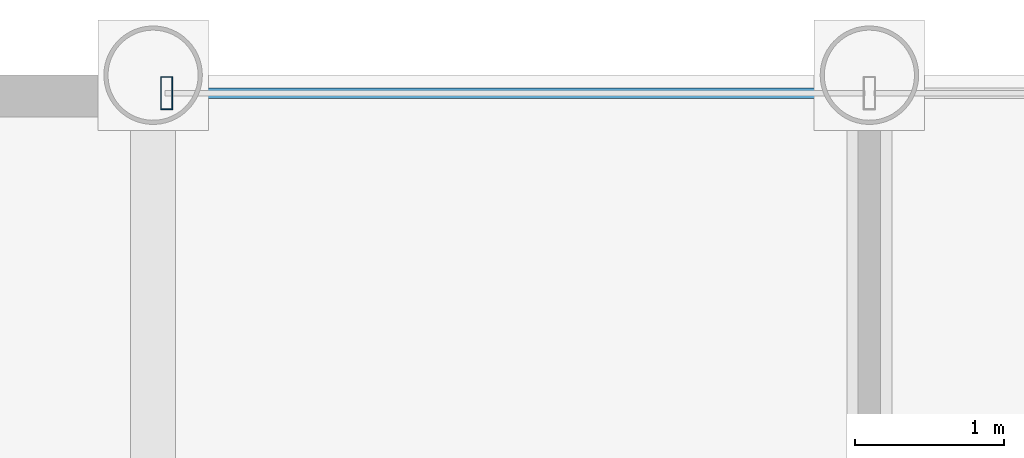
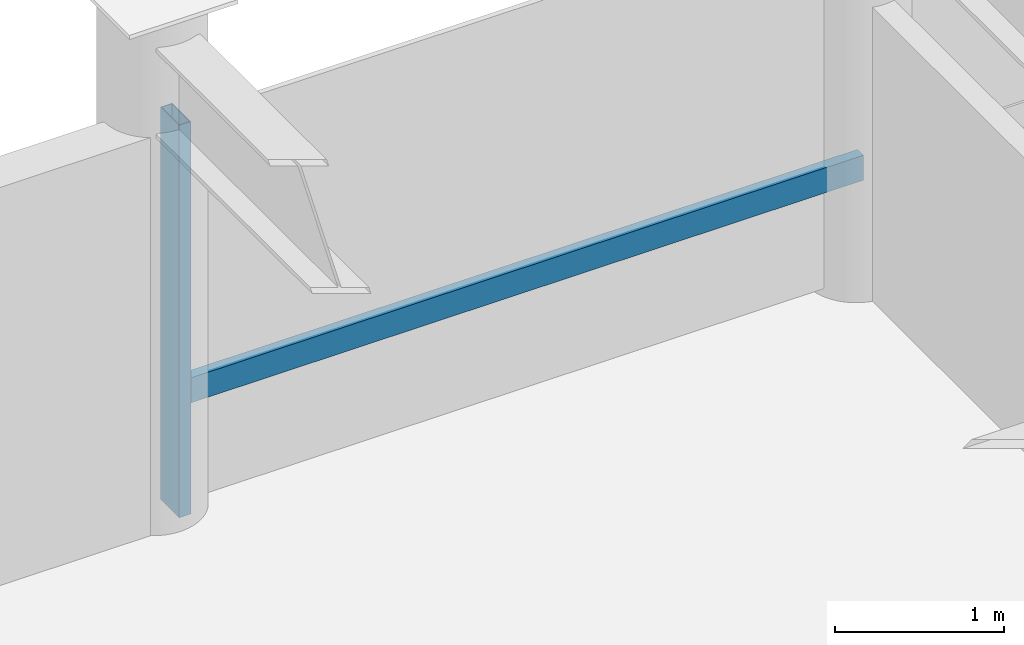
# One storey, part 14 of 24: 2 members, 1 element without a shape of its own.
"""IFC4 building model written with IfcOpenShell, lengths in metres."""

from ifc_helpers import new_model, si_unit, direction, frame, origin, origin_2d, place, context, subcontext, project, spatial, hollow_rectangle, extrude, material, layer, layer_set, material_profile, profile_set, type_object, element, aggregate, save


model = new_model("IFC4")

# Units and contexts
model_context = context("Model", 3, precision=1e-05, world=origin(), true_north=direction((0.0, 1.0)))
body_context = subcontext(model_context, "Body", "Model", "MODEL_VIEW")
ifc_project = project(units=[si_unit("LENGTHUNIT", "METRE"), si_unit("AREAUNIT", "SQUARE_METRE"), si_unit("VOLUMEUNIT", "CUBIC_METRE"), si_unit("PLANEANGLEUNIT", "RADIAN"), si_unit("MASSUNIT", "GRAM", prefix="KILO")], contexts=[model_context])

# Site, building, storey
site_placement = place(None, origin())
site = spatial("IfcSite", under=ifc_project, at=site_placement, CompositionType="ELEMENT")
building_placement = place(site_placement, origin())
building = spatial("IfcBuilding", under=site, at=building_placement, Name="Kallvorn Hotel Tower", CompositionType="ELEMENT")
storey_placement = place(building_placement, frame((0.0, 0.0, 150.699951171875)))
storey = spatial("IfcBuildingStorey", under=building, at=storey_placement, Name="L37", CompositionType="ELEMENT", Elevation=150.699951171875)

# Curtain wall, members
ifc_material_1 = material(Name="Thermally broken black-anodised aluminium AA 6063-T6", Category="aluminium")
ifc_layer = layer(ifc_material_1, 0.2099609375)
ifc_layer_set = layer_set([ifc_layer], Name="CW_SYS_4_HOTEL_MID")
curtain_wall_type = type_object("IfcCurtainWallType", Name="CW_SYS_4_HOTEL_MID", PredefinedType="USERDEFINED", material=ifc_layer_set)
curtain_wall_placement = place(storey_placement, origin())
curtain_wall = element("IfcCurtainWall", 1, at=curtain_wall_placement, inside=storey, type_object=curtain_wall_type, Name="L37 Dark-Glass Curtain Wall CW-L37-NC", ObjectType="UNITISED CURTAIN WALL", PredefinedType="USERDEFINED")
ifc_material_2 = material(Name="Thermally broken black-anodised aluminium AA 6063-T6", Category="aluminium")
ifc_material_profile_1 = material_profile(ifc_material_2, hollow_rectangle(XDim=0.080078125, YDim=0.219970703125, WallThickness=0.0048828125, at=origin_2d()), Name="MUL 220x80")
ifc_profile_set_1 = profile_set([ifc_material_profile_1], Name="Thermally broken black-anodised aluminium AA 6063-T6")
member_type_1 = type_object("IfcMemberType", Name="CW_MULLION_220x80", PredefinedType="MULLION", material=ifc_profile_set_1)
member_1_placement = place(storey_placement, frame((-4.7099609375, 23.8798828125, 0.02001953125), z_axis=(0.0, 0.0, 1.0), x_axis=(1.0, 0.0, 0.0)))
member_1 = element("IfcMember", 2, at=member_1_placement, type_object=member_type_1, Name="CW-L37-NC Mullion 00", PredefinedType="MULLION", context=body_context, shape_type="SweptSolid", body=[
    extrude(hollow_rectangle(XDim=0.080078125, YDim=0.219970703125, WallThickness=0.0048828125, at=origin_2d()), origin(), (0.0, 0.0, 1.0), 2.830078125),
])
ifc_material_3 = material(Name="Thermally broken black-anodised aluminium AA 6063-T6", Category="aluminium")
ifc_material_profile_2 = material_profile(ifc_material_3, hollow_rectangle(XDim=0.070068359375, YDim=0.179931640625, WallThickness=0.00390625, at=origin_2d()), Name="TRN 180x70")
ifc_profile_set_2 = profile_set([ifc_material_profile_2], Name="Thermally broken black-anodised aluminium AA 6063-T6")
member_type_2 = type_object("IfcMemberType", Name="CW_TRANSOM_180x70", PredefinedType="USERDEFINED", material=ifc_profile_set_2)
member_2_placement = place(storey_placement, frame((-4.7099609375, 23.8798828125, 0.85009765625), z_axis=(1.0, 0.0, 0.0), x_axis=(0.0, 1.0, 0.0)))
member_2 = element("IfcMember", 3, at=member_2_placement, type_object=member_type_2, Name="CW-L37-NC Transom 00M", ObjectType="TRANSOM", PredefinedType="USERDEFINED", context=body_context, shape_type="SweptSolid", body=[
    extrude(hollow_rectangle(XDim=0.070068359375, YDim=0.179931640625, WallThickness=0.00390625, at=origin_2d()), origin(), (0.0, 0.0, 1.0), 4.669921875),
])
aggregate(curtain_wall, [member_1, member_2])

save(model, "model.ifc")
